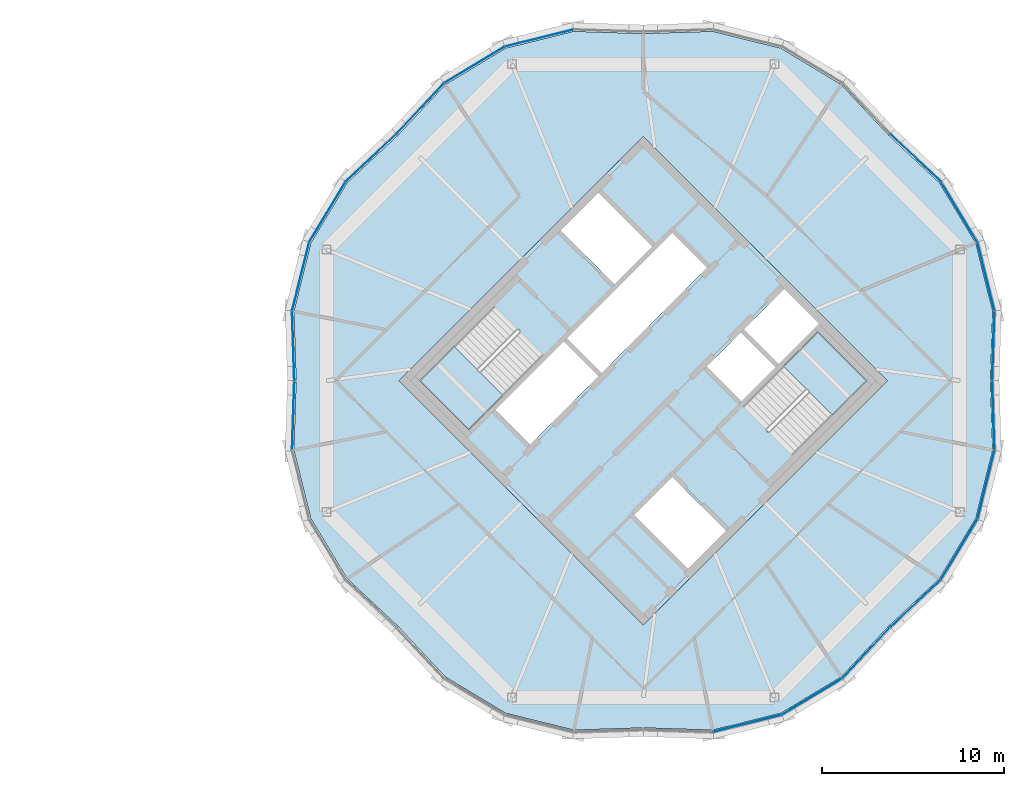
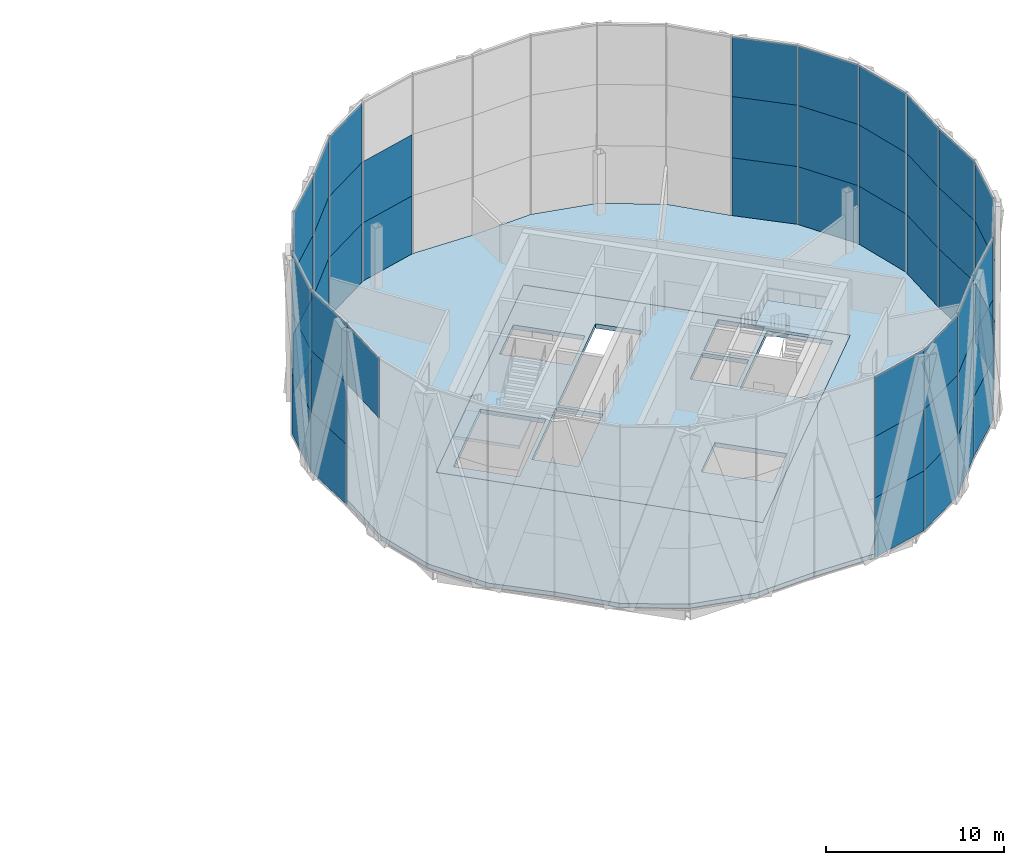
# One storey, part 14 of 23: 54 plates, 4 slabs, 8 elements without a shape of their own.
"""IFC4 building model written with IfcOpenShell, lengths in metres."""

from ifc_helpers import new_model, si_unit, direction, frame, origin, origin_2d, place, context, subcontext, project, spatial, polyline, rectangle, outline, extrude, material, layer, layer_set, type_object, element, aggregate, save


model = new_model("IFC4")

# Units and contexts
model_context = context("Model", 3, precision=1e-05, world=origin(), true_north=direction((0.0, 1.0)))
body_context = subcontext(model_context, "Body", "Model", "MODEL_VIEW")
ifc_project = project(units=[si_unit("LENGTHUNIT", "METRE"), si_unit("AREAUNIT", "SQUARE_METRE"), si_unit("VOLUMEUNIT", "CUBIC_METRE"), si_unit("PLANEANGLEUNIT", "RADIAN"), si_unit("MASSUNIT", "GRAM", prefix="KILO")], contexts=[model_context])

# Site, building, storey
site_placement = place(None, origin())
site = spatial("IfcSite", under=ifc_project, at=site_placement, CompositionType="ELEMENT")
building_placement = place(site_placement, origin())
building = spatial("IfcBuilding", under=site, at=building_placement, Name="Ogive Gate Towers", CompositionType="ELEMENT")
storey_placement = place(building_placement, frame((0.0, 0.0, 256.199951171875)))
storey = spatial("IfcBuildingStorey", under=building, at=storey_placement, Name="L60", CompositionType="ELEMENT", Elevation=256.199951171875)

# Slabs
ifc_material_1 = material(Name="Concrete C40/50", Category="concrete")
ifc_layer_1 = layer(ifc_material_1, 0.300048828125)
ifc_layer_set_1 = layer_set([ifc_layer_1], Name="Core slab C40/50 300 mm")
slab_type_1 = type_object("IfcSlabType", Name="Core slab C40/50 300 mm", PredefinedType="FLOOR", material=ifc_layer_set_1)
slab_1_placement = place(storey_placement, frame((0.0, 0.0, -0.300048828125)))
element("IfcSlab", 1, at=slab_1_placement, inside=storey, type_object=slab_type_1, Name="T2 L60 core slab", PredefinedType="FLOOR", context=body_context, shape_type="SweptSolid", body=[
    extrude(outline(polyline([(36.0, -13.43505859375), (22.56494140625, 0.0), (36.0, 13.43505859375), (49.43505859375, 0.0), (36.0, -13.43505859375)]), holes=[polyline([(29.777587890625, -3.500244140625), (33.525146484375, 0.24755859375), (31.615966796875, 2.15673828125), (27.868408203125, -1.591064453125), (29.777587890625, -3.500244140625)]), polyline([(31.792724609375, 2.33349609375), (33.701904296875, 0.42431640625), (39.500244140625, 6.222412109375), (37.591064453125, 8.131591796875), (31.792724609375, 2.33349609375)]), polyline([(41.3740234375, 2.651611328125), (39.500244140625, 0.77783203125), (41.409423828125, -1.13134765625), (43.283203125, 0.742431640625), (41.3740234375, 2.651611328125)]), polyline([(45.669677734375, 3.12890625), (43.760498046875, 5.0380859375), (41.55078125, 2.828369140625), (43.4599609375, 0.919189453125), (45.669677734375, 3.12890625)]), polyline([(34.408935546875, 5.30322265625), (36.4951171875, 7.389404296875), (33.542724609375, 10.34130859375), (31.456787109375, 8.255615234375), (34.408935546875, 5.30322265625)]), polyline([(35.5048828125, -7.389404296875), (38.457275390625, -10.34130859375), (40.543212890625, -8.255615234375), (37.591064453125, -5.30322265625), (35.5048828125, -7.389404296875)]), polyline([(26.40087890625, -2.70458984375), (30.512939453125, 1.406982421875), (27.80810546875, 4.11181640625), (23.6962890625, 0.0), (26.40087890625, -2.70458984375)]), polyline([(48.3037109375, 0.0), (45.59912109375, 2.70458984375), (41.487060546875, -1.406982421875), (44.19189453125, -4.11181640625), (48.3037109375, 0.0)])]), origin(), (0.0, 0.0, 1.0), 0.300048828125),
])
ifc_material_2 = material(Name="Concrete C35/45", Category="concrete")
ifc_layer_2 = layer(ifc_material_2, 0.300048828125)
ifc_layer_set_2 = layer_set([ifc_layer_2], Name="Floor slab 300")
slab_type_2 = type_object("IfcSlabType", Name="Floor slab 300", PredefinedType="FLOOR", material=ifc_layer_set_2)
slab_2_placement = place(storey_placement, frame((0.0, 0.0, -0.300048828125)))
element("IfcSlab", 2, at=slab_2_placement, inside=storey, type_object=slab_type_2, Name="T2/L60/SSL001", PredefinedType="FLOOR", context=body_context, shape_type="SweptSolid", body=[
    extrude(outline(polyline([(55.223388671875, -3.82373046875), (55.10009765625, 0.0), (55.223388671875, 3.82373046875), (54.292724609375, 7.5771484375), (52.296875, 10.88916015625), (49.505859375, 13.505859375), (46.88916015625, 16.296875), (43.5771484375, 18.292724609375), (39.82373046875, 19.223388671875), (36.0, 19.10009765625), (32.17626953125, 19.223388671875), (28.4228515625, 18.292724609375), (25.11083984375, 16.296875), (22.494140625, 13.505859375), (19.703125, 10.88916015625), (17.707275390625, 7.5771484375), (16.776611328125, 3.82373046875), (16.89990234375, 0.0), (16.776611328125, -3.82373046875), (17.707275390625, -7.5771484375), (19.703125, -10.88916015625), (22.494140625, -13.505859375), (25.11083984375, -16.296875), (28.4228515625, -18.292724609375), (32.17626953125, -19.223388671875), (36.0, -19.10009765625), (39.82373046875, -19.223388671875), (43.5771484375, -18.292724609375), (46.88916015625, -16.296875), (49.505859375, -13.505859375), (52.296875, -10.88916015625), (54.292724609375, -7.5771484375), (55.223388671875, -3.82373046875)]), holes=[polyline([(49.43505859375, 0.0), (36.0, -13.43505859375), (22.56494140625, 0.0), (36.0, 13.43505859375), (49.43505859375, 0.0)])]), origin(), (0.0, 0.0, 1.0), 0.300048828125),
])

# Stair, slab
stair_type = type_object("IfcStairType", Name="Escape stair 1840 wide", PredefinedType="HALF_TURN_STAIR", material=ifc_material_1)
stair_1_placement = place(storey_placement, origin())
stair_1 = element("IfcStair", 3, at=stair_1_placement, inside=storey, type_object=stair_type, Name="L60 Escape stair 1", PredefinedType="HALF_TURN_STAIR")
ifc_layer_3 = layer(ifc_material_1, 0.199951171875)
ifc_layer_set_3 = layer_set([ifc_layer_3], Name="Stair landing 200 mm")
slab_type_3 = type_object("IfcSlabType", Name="Stair landing 200 mm", PredefinedType="LANDING", material=ifc_layer_set_3)
slab_3_placement = place(storey_placement, frame((0.0, 0.0, 1.900146484375)))
slab_3 = element("IfcSlab", 4, at=slab_3_placement, type_object=slab_type_3, Name="ST1 landing 1", PredefinedType="LANDING", context=body_context, shape_type="SweptSolid", body=[
    extrude(outline(polyline([(25.586181640625, 1.8896484375), (23.6962890625, 0.0), (26.401123046875, -2.70458984375), (28.290771484375, -0.81494140625), (25.586181640625, 1.8896484375)])), origin(), (0.0, 0.0, 1.0), 0.199951171875),
])
aggregate(stair_1, [slab_3])

stair_2_placement = place(storey_placement, origin())
stair_2 = element("IfcStair", 5, at=stair_2_placement, inside=storey, type_object=stair_type, Name="L60 Escape stair 2", PredefinedType="HALF_TURN_STAIR")
slab_4_placement = place(storey_placement, frame((0.0, 0.0, 1.900146484375)))
slab_4 = element("IfcSlab", 6, at=slab_4_placement, type_object=slab_type_3, Name="ST2 landing 1", PredefinedType="LANDING", context=body_context, shape_type="SweptSolid", body=[
    extrude(outline(polyline([(46.413818359375, -1.8896484375), (48.3037109375, 0.0), (45.598876953125, 2.70458984375), (43.709228515625, 0.81494140625), (46.413818359375, -1.8896484375)])), origin(), (0.0, 0.0, 1.0), 0.199951171875),
])
aggregate(stair_2, [slab_4])

# Curtain wall, plates
ifc_material_3 = material(Name="Pale metal aluminium", Category="aluminium")
curtain_wall_type = type_object("IfcCurtainWallType", Name="Tower unitised wall, high zone", PredefinedType="NOTDEFINED", material=ifc_material_3)
curtain_wall_1_placement = place(storey_placement, origin())
curtain_wall_1 = element("IfcCurtainWall", 7, at=curtain_wall_1_placement, inside=storey, type_object=curtain_wall_type, Name="CW2 T2 ECW01", PredefinedType="NOTDEFINED")
ifc_material_4 = material(Name="Clear glass", Category="glass")
ifc_layer_4 = layer(ifc_material_4, 0.028076171875)
ifc_layer_set_4 = layer_set([ifc_layer_4], Name="Tower unitised wall, high zone glass panel")
plate_type = type_object("IfcPlateType", Name="Tower unitised wall, high zone glass panel", PredefinedType="CURTAIN_PANEL", material=ifc_layer_set_4)
plate_1_placement = place(storey_placement, frame((55.261962890625, 1.915283203125, -0.203857421875), z_axis=(0.0, 0.0, 1.0), x_axis=(0.032248092615, 0.999479895007, 0.0)))
plate_1 = element("IfcPlate", 8, at=plate_1_placement, type_object=plate_type, Name="CW2 glass panel", PredefinedType="CURTAIN_PANEL", context=body_context, shape_type="SweptSolid", body=[
    extrude(rectangle(XDim=3.778564453125, YDim=0.028076171875, at=origin_2d()), origin(), (0.0, 0.0, 1.0), 4.10400390625),
])
plate_2_placement = place(storey_placement, frame((55.261962890625, 1.915283203125, 3.89990234375), z_axis=(0.0, 0.0, 1.0), x_axis=(0.032248092615, 0.999479895007, 0.0)))
plate_2 = element("IfcPlate", 9, at=plate_2_placement, type_object=plate_type, Name="CW2 glass panel", PredefinedType="CURTAIN_PANEL", context=body_context, shape_type="SweptSolid", body=[
    extrude(rectangle(XDim=3.778564453125, YDim=0.028076171875, at=origin_2d()), origin(), (0.0, 0.0, 1.0), 4.199951171875),
])
plate_3_placement = place(storey_placement, frame((55.261962890625, 1.915283203125, 8.10009765625), z_axis=(0.0, 0.0, 1.0), x_axis=(0.032248092615, 0.999479895007, 0.0)))
plate_3 = element("IfcPlate", 10, at=plate_3_placement, type_object=plate_type, Name="CW2 glass panel", PredefinedType="CURTAIN_PANEL", context=body_context, shape_type="SweptSolid", body=[
    extrude(rectangle(XDim=3.778564453125, YDim=0.028076171875, at=origin_2d()), origin(), (0.0, 0.0, 1.0), 4.10400390625),
])
plate_4_placement = place(storey_placement, frame((54.85498046875, 5.72509765625, -0.203857421875), z_axis=(0.0, 0.0, 1.0), x_axis=(-0.240668514894, 0.970607369609, 0.0)))
plate_4 = element("IfcPlate", 11, at=plate_4_placement, type_object=plate_type, Name="CW2 glass panel", PredefinedType="CURTAIN_PANEL", context=body_context, shape_type="SweptSolid", body=[
    extrude(rectangle(XDim=3.833984375, YDim=0.028076171875, at=origin_2d()), origin(), (0.0, 0.0, 1.0), 4.10400390625),
])
plate_5_placement = place(storey_placement, frame((54.85498046875, 5.72509765625, 3.89990234375), z_axis=(0.0, 0.0, 1.0), x_axis=(-0.240668514894, 0.970607369609, 0.0)))
plate_5 = element("IfcPlate", 12, at=plate_5_placement, type_object=plate_type, Name="CW2 glass panel", PredefinedType="CURTAIN_PANEL", context=body_context, shape_type="SweptSolid", body=[
    extrude(rectangle(XDim=3.833984375, YDim=0.028076171875, at=origin_2d()), origin(), (0.0, 0.0, 1.0), 4.199951171875),
])
plate_6_placement = place(storey_placement, frame((54.85498046875, 5.72509765625, 8.10009765625), z_axis=(0.0, 0.0, 1.0), x_axis=(-0.240668514894, 0.970607369609, 0.0)))
plate_6 = element("IfcPlate", 13, at=plate_6_placement, type_object=plate_type, Name="CW2 glass panel", PredefinedType="CURTAIN_PANEL", context=body_context, shape_type="SweptSolid", body=[
    extrude(rectangle(XDim=3.833984375, YDim=0.028076171875, at=origin_2d()), origin(), (0.0, 0.0, 1.0), 4.10400390625),
])
plate_7_placement = place(storey_placement, frame((53.380615234375, 9.2841796875, -0.203857421875), z_axis=(0.0, 0.0, 1.0), x_axis=(-0.51614471402, 0.85650139182, 0.0)))
plate_7 = element("IfcPlate", 14, at=plate_7_placement, type_object=plate_type, Name="CW2 glass panel", PredefinedType="CURTAIN_PANEL", context=body_context, shape_type="SweptSolid", body=[
    extrude(rectangle(XDim=3.833984375, YDim=0.028076171875, at=origin_2d()), origin(), (0.0, 0.0, 1.0), 4.10400390625),
])
plate_8_placement = place(storey_placement, frame((53.380615234375, 9.2841796875, 3.89990234375), z_axis=(0.0, 0.0, 1.0), x_axis=(-0.51614471402, 0.85650139182, 0.0)))
plate_8 = element("IfcPlate", 15, at=plate_8_placement, type_object=plate_type, Name="CW2 glass panel", PredefinedType="CURTAIN_PANEL", context=body_context, shape_type="SweptSolid", body=[
    extrude(rectangle(XDim=3.833984375, YDim=0.028076171875, at=origin_2d()), origin(), (0.0, 0.0, 1.0), 4.199951171875),
])
plate_9_placement = place(storey_placement, frame((53.380615234375, 9.2841796875, 8.10009765625), z_axis=(0.0, 0.0, 1.0), x_axis=(-0.51614471402, 0.85650139182, 0.0)))
plate_9 = element("IfcPlate", 16, at=plate_9_placement, type_object=plate_type, Name="CW2 glass panel", PredefinedType="CURTAIN_PANEL", context=body_context, shape_type="SweptSolid", body=[
    extrude(rectangle(XDim=3.833984375, YDim=0.028076171875, at=origin_2d()), origin(), (0.0, 0.0, 1.0), 4.10400390625),
])
plate_10_placement = place(storey_placement, frame((50.974609375, 12.265869140625, -0.203857421875), z_axis=(0.0, 0.0, 1.0), x_axis=(-0.729541856388, 0.68393616645, 0.0)))
plate_10 = element("IfcPlate", 17, at=plate_10_placement, type_object=plate_type, Name="CW2 glass panel", PredefinedType="CURTAIN_PANEL", context=body_context, shape_type="SweptSolid", body=[
    extrude(rectangle(XDim=3.7783203125, YDim=0.028076171875, at=origin_2d()), origin(), (0.0, 0.0, 1.0), 4.10400390625),
])
plate_11_placement = place(storey_placement, frame((50.974609375, 12.265869140625, 3.89990234375), z_axis=(0.0, 0.0, 1.0), x_axis=(-0.729541856388, 0.68393616645, 0.0)))
plate_11 = element("IfcPlate", 18, at=plate_11_placement, type_object=plate_type, Name="CW2 glass panel", PredefinedType="CURTAIN_PANEL", context=body_context, shape_type="SweptSolid", body=[
    extrude(rectangle(XDim=3.7783203125, YDim=0.028076171875, at=origin_2d()), origin(), (0.0, 0.0, 1.0), 4.199951171875),
])
plate_12_placement = place(storey_placement, frame((50.974609375, 12.265869140625, 8.10009765625), z_axis=(0.0, 0.0, 1.0), x_axis=(-0.729541856388, 0.68393616645, 0.0)))
plate_12 = element("IfcPlate", 19, at=plate_12_placement, type_object=plate_type, Name="CW2 glass panel", PredefinedType="CURTAIN_PANEL", context=body_context, shape_type="SweptSolid", body=[
    extrude(rectangle(XDim=3.7783203125, YDim=0.028076171875, at=origin_2d()), origin(), (0.0, 0.0, 1.0), 4.10400390625),
])
aggregate(curtain_wall_1, [plate_1, plate_2, plate_3, plate_4, plate_5, plate_6, plate_7, plate_8, plate_9, plate_10, plate_11, plate_12])

curtain_wall_2_placement = place(storey_placement, origin())
curtain_wall_2 = element("IfcCurtainWall", 20, at=curtain_wall_2_placement, inside=storey, type_object=curtain_wall_type, Name="CW2 T2 ECW03", PredefinedType="NOTDEFINED")
plate_13_placement = place(storey_placement, frame((30.27490234375, 18.85498046875, -0.203857421875), z_axis=(0.0, 0.0, 1.0), x_axis=(-0.970607369609, -0.240668514894, 0.0)))
plate_13 = element("IfcPlate", 21, at=plate_13_placement, type_object=plate_type, Name="CW2 glass panel", PredefinedType="CURTAIN_PANEL", context=body_context, shape_type="SweptSolid", body=[
    extrude(rectangle(XDim=3.833984375, YDim=0.028076171875, at=origin_2d()), origin(), (0.0, 0.0, 1.0), 4.10400390625),
])
plate_14_placement = place(storey_placement, frame((30.27490234375, 18.85498046875, 3.89990234375), z_axis=(0.0, 0.0, 1.0), x_axis=(-0.970607369609, -0.240668514894, 0.0)))
plate_14 = element("IfcPlate", 22, at=plate_14_placement, type_object=plate_type, Name="CW2 glass panel", PredefinedType="CURTAIN_PANEL", context=body_context, shape_type="SweptSolid", body=[
    extrude(rectangle(XDim=3.833984375, YDim=0.028076171875, at=origin_2d()), origin(), (0.0, 0.0, 1.0), 4.199951171875),
])
plate_15_placement = place(storey_placement, frame((26.7158203125, 17.380615234375, -0.203857421875), z_axis=(0.0, 0.0, 1.0), x_axis=(-0.85650139182, -0.51614471402, 0.0)))
plate_15 = element("IfcPlate", 23, at=plate_15_placement, type_object=plate_type, Name="CW2 glass panel", PredefinedType="CURTAIN_PANEL", context=body_context, shape_type="SweptSolid", body=[
    extrude(rectangle(XDim=3.833984375, YDim=0.028076171875, at=origin_2d()), origin(), (0.0, 0.0, 1.0), 4.10400390625),
])
plate_16_placement = place(storey_placement, frame((26.7158203125, 17.380615234375, 3.89990234375), z_axis=(0.0, 0.0, 1.0), x_axis=(-0.85650139182, -0.51614471402, 0.0)))
plate_16 = element("IfcPlate", 24, at=plate_16_placement, type_object=plate_type, Name="CW2 glass panel", PredefinedType="CURTAIN_PANEL", context=body_context, shape_type="SweptSolid", body=[
    extrude(rectangle(XDim=3.833984375, YDim=0.028076171875, at=origin_2d()), origin(), (0.0, 0.0, 1.0), 4.199951171875),
])
plate_17_placement = place(storey_placement, frame((26.7158203125, 17.380615234375, 8.10009765625), z_axis=(0.0, 0.0, 1.0), x_axis=(-0.85650139182, -0.51614471402, 0.0)))
plate_17 = element("IfcPlate", 25, at=plate_17_placement, type_object=plate_type, Name="CW2 glass panel", PredefinedType="CURTAIN_PANEL", context=body_context, shape_type="SweptSolid", body=[
    extrude(rectangle(XDim=3.833984375, YDim=0.028076171875, at=origin_2d()), origin(), (0.0, 0.0, 1.0), 4.10400390625),
])
plate_18_placement = place(storey_placement, frame((23.734130859375, 14.974609375, -0.203857421875), z_axis=(0.0, 0.0, 1.0), x_axis=(-0.68393616645, -0.729541856388, 0.0)))
plate_18 = element("IfcPlate", 26, at=plate_18_placement, type_object=plate_type, Name="CW2 glass panel", PredefinedType="CURTAIN_PANEL", context=body_context, shape_type="SweptSolid", body=[
    extrude(rectangle(XDim=3.7783203125, YDim=0.028076171875, at=origin_2d()), origin(), (0.0, 0.0, 1.0), 4.10400390625),
])
plate_19_placement = place(storey_placement, frame((23.734130859375, 14.974609375, 3.89990234375), z_axis=(0.0, 0.0, 1.0), x_axis=(-0.68393616645, -0.729541856388, 0.0)))
plate_19 = element("IfcPlate", 27, at=plate_19_placement, type_object=plate_type, Name="CW2 glass panel", PredefinedType="CURTAIN_PANEL", context=body_context, shape_type="SweptSolid", body=[
    extrude(rectangle(XDim=3.7783203125, YDim=0.028076171875, at=origin_2d()), origin(), (0.0, 0.0, 1.0), 4.199951171875),
])
plate_20_placement = place(storey_placement, frame((23.734130859375, 14.974609375, 8.10009765625), z_axis=(0.0, 0.0, 1.0), x_axis=(-0.68393616645, -0.729541856388, 0.0)))
plate_20 = element("IfcPlate", 28, at=plate_20_placement, type_object=plate_type, Name="CW2 glass panel", PredefinedType="CURTAIN_PANEL", context=body_context, shape_type="SweptSolid", body=[
    extrude(rectangle(XDim=3.7783203125, YDim=0.028076171875, at=origin_2d()), origin(), (0.0, 0.0, 1.0), 4.10400390625),
])
aggregate(curtain_wall_2, [plate_13, plate_14, plate_15, plate_16, plate_17, plate_18, plate_19, plate_20])

curtain_wall_3_placement = place(storey_placement, origin())
curtain_wall_3 = element("IfcCurtainWall", 29, at=curtain_wall_3_placement, inside=storey, type_object=curtain_wall_type, Name="CW2 T2 ECW04", PredefinedType="NOTDEFINED")
plate_21_placement = place(storey_placement, frame((21.025390625, 12.265869140625, -0.203857421875), z_axis=(0.0, 0.0, 1.0), x_axis=(-0.729541856388, -0.68393616645, 0.0)))
plate_21 = element("IfcPlate", 30, at=plate_21_placement, type_object=plate_type, Name="CW2 glass panel", PredefinedType="CURTAIN_PANEL", context=body_context, shape_type="SweptSolid", body=[
    extrude(rectangle(XDim=3.7783203125, YDim=0.028076171875, at=origin_2d()), origin(), (0.0, 0.0, 1.0), 4.10400390625),
])
plate_22_placement = place(storey_placement, frame((21.025390625, 12.265869140625, 3.89990234375), z_axis=(0.0, 0.0, 1.0), x_axis=(-0.729541856388, -0.68393616645, 0.0)))
plate_22 = element("IfcPlate", 31, at=plate_22_placement, type_object=plate_type, Name="CW2 glass panel", PredefinedType="CURTAIN_PANEL", context=body_context, shape_type="SweptSolid", body=[
    extrude(rectangle(XDim=3.7783203125, YDim=0.028076171875, at=origin_2d()), origin(), (0.0, 0.0, 1.0), 4.199951171875),
])
plate_23_placement = place(storey_placement, frame((21.025390625, 12.265869140625, 8.10009765625), z_axis=(0.0, 0.0, 1.0), x_axis=(-0.729541856388, -0.68393616645, 0.0)))
plate_23 = element("IfcPlate", 32, at=plate_23_placement, type_object=plate_type, Name="CW2 glass panel", PredefinedType="CURTAIN_PANEL", context=body_context, shape_type="SweptSolid", body=[
    extrude(rectangle(XDim=3.7783203125, YDim=0.028076171875, at=origin_2d()), origin(), (0.0, 0.0, 1.0), 4.10400390625),
])
plate_24_placement = place(storey_placement, frame((18.619384765625, 9.2841796875, -0.203857421875), z_axis=(0.0, 0.0, 1.0), x_axis=(-0.51614471402, -0.85650139182, 0.0)))
plate_24 = element("IfcPlate", 33, at=plate_24_placement, type_object=plate_type, Name="CW2 glass panel", PredefinedType="CURTAIN_PANEL", context=body_context, shape_type="SweptSolid", body=[
    extrude(rectangle(XDim=3.833984375, YDim=0.028076171875, at=origin_2d()), origin(), (0.0, 0.0, 1.0), 4.10400390625),
])
plate_25_placement = place(storey_placement, frame((18.619384765625, 9.2841796875, 3.89990234375), z_axis=(0.0, 0.0, 1.0), x_axis=(-0.51614471402, -0.85650139182, 0.0)))
plate_25 = element("IfcPlate", 34, at=plate_25_placement, type_object=plate_type, Name="CW2 glass panel", PredefinedType="CURTAIN_PANEL", context=body_context, shape_type="SweptSolid", body=[
    extrude(rectangle(XDim=3.833984375, YDim=0.028076171875, at=origin_2d()), origin(), (0.0, 0.0, 1.0), 4.199951171875),
])
plate_26_placement = place(storey_placement, frame((18.619384765625, 9.2841796875, 8.10009765625), z_axis=(0.0, 0.0, 1.0), x_axis=(-0.51614471402, -0.85650139182, 0.0)))
plate_26 = element("IfcPlate", 35, at=plate_26_placement, type_object=plate_type, Name="CW2 glass panel", PredefinedType="CURTAIN_PANEL", context=body_context, shape_type="SweptSolid", body=[
    extrude(rectangle(XDim=3.833984375, YDim=0.028076171875, at=origin_2d()), origin(), (0.0, 0.0, 1.0), 4.10400390625),
])
plate_27_placement = place(storey_placement, frame((17.14501953125, 5.72509765625, -0.203857421875), z_axis=(0.0, 0.0, 1.0), x_axis=(-0.240668514894, -0.970607369609, 0.0)))
plate_27 = element("IfcPlate", 36, at=plate_27_placement, type_object=plate_type, Name="CW2 glass panel", PredefinedType="CURTAIN_PANEL", context=body_context, shape_type="SweptSolid", body=[
    extrude(rectangle(XDim=3.833984375, YDim=0.028076171875, at=origin_2d()), origin(), (0.0, 0.0, 1.0), 4.10400390625),
])
plate_28_placement = place(storey_placement, frame((17.14501953125, 5.72509765625, 3.89990234375), z_axis=(0.0, 0.0, 1.0), x_axis=(-0.240668514894, -0.970607369609, 0.0)))
plate_28 = element("IfcPlate", 37, at=plate_28_placement, type_object=plate_type, Name="CW2 glass panel", PredefinedType="CURTAIN_PANEL", context=body_context, shape_type="SweptSolid", body=[
    extrude(rectangle(XDim=3.833984375, YDim=0.028076171875, at=origin_2d()), origin(), (0.0, 0.0, 1.0), 4.199951171875),
])
plate_29_placement = place(storey_placement, frame((17.14501953125, 5.72509765625, 8.10009765625), z_axis=(0.0, 0.0, 1.0), x_axis=(-0.240668514894, -0.970607369609, 0.0)))
plate_29 = element("IfcPlate", 38, at=plate_29_placement, type_object=plate_type, Name="CW2 glass panel", PredefinedType="CURTAIN_PANEL", context=body_context, shape_type="SweptSolid", body=[
    extrude(rectangle(XDim=3.833984375, YDim=0.028076171875, at=origin_2d()), origin(), (0.0, 0.0, 1.0), 4.10400390625),
])
plate_30_placement = place(storey_placement, frame((16.738037109375, 1.915283203125, -0.203857421875), z_axis=(0.0, 0.0, 1.0), x_axis=(0.032248092615, -0.999479895007, 0.0)))
plate_30 = element("IfcPlate", 39, at=plate_30_placement, type_object=plate_type, Name="CW2 glass panel", PredefinedType="CURTAIN_PANEL", context=body_context, shape_type="SweptSolid", body=[
    extrude(rectangle(XDim=3.778564453125, YDim=0.028076171875, at=origin_2d()), origin(), (0.0, 0.0, 1.0), 4.10400390625),
])
plate_31_placement = place(storey_placement, frame((16.738037109375, 1.915283203125, 3.89990234375), z_axis=(0.0, 0.0, 1.0), x_axis=(0.032248092615, -0.999479895007, 0.0)))
plate_31 = element("IfcPlate", 40, at=plate_31_placement, type_object=plate_type, Name="CW2 glass panel", PredefinedType="CURTAIN_PANEL", context=body_context, shape_type="SweptSolid", body=[
    extrude(rectangle(XDim=3.778564453125, YDim=0.028076171875, at=origin_2d()), origin(), (0.0, 0.0, 1.0), 4.199951171875),
])
plate_32_placement = place(storey_placement, frame((16.738037109375, 1.915283203125, 8.10009765625), z_axis=(0.0, 0.0, 1.0), x_axis=(0.032248092615, -0.999479895007, 0.0)))
plate_32 = element("IfcPlate", 41, at=plate_32_placement, type_object=plate_type, Name="CW2 glass panel", PredefinedType="CURTAIN_PANEL", context=body_context, shape_type="SweptSolid", body=[
    extrude(rectangle(XDim=3.778564453125, YDim=0.028076171875, at=origin_2d()), origin(), (0.0, 0.0, 1.0), 4.10400390625),
])
aggregate(curtain_wall_3, [plate_21, plate_22, plate_23, plate_24, plate_25, plate_26, plate_27, plate_28, plate_29, plate_30, plate_31, plate_32])

# Curtain wall, plate
curtain_wall_4_placement = place(storey_placement, origin())
curtain_wall_4 = element("IfcCurtainWall", 42, at=curtain_wall_4_placement, inside=storey, type_object=curtain_wall_type, Name="CW2 T2 ECW05", PredefinedType="NOTDEFINED")
plate_33_placement = place(storey_placement, frame((16.738037109375, -1.915283203125, 8.10009765625), z_axis=(0.0, 0.0, 1.0), x_axis=(-0.032248092615, -0.999479895007, 0.0)))
plate_33 = element("IfcPlate", 43, at=plate_33_placement, type_object=plate_type, Name="CW2 glass panel", PredefinedType="CURTAIN_PANEL", context=body_context, shape_type="SweptSolid", body=[
    extrude(rectangle(XDim=3.778564453125, YDim=0.028076171875, at=origin_2d()), origin(), (0.0, 0.0, 1.0), 4.10400390625),
])
aggregate(curtain_wall_4, [plate_33])

# Curtain wall, plates
curtain_wall_5_placement = place(storey_placement, origin())
curtain_wall_5 = element("IfcCurtainWall", 44, at=curtain_wall_5_placement, inside=storey, type_object=curtain_wall_type, Name="CW2 T2 ECW07", PredefinedType="NOTDEFINED")
plate_34_placement = place(storey_placement, frame((41.72509765625, -18.85498046875, -0.203857421875), z_axis=(0.0, 0.0, 1.0), x_axis=(0.970607369609, 0.240668514894, 0.0)))
plate_34 = element("IfcPlate", 45, at=plate_34_placement, type_object=plate_type, Name="CW2 glass panel", PredefinedType="CURTAIN_PANEL", context=body_context, shape_type="SweptSolid", body=[
    extrude(rectangle(XDim=3.833984375, YDim=0.028076171875, at=origin_2d()), origin(), (0.0, 0.0, 1.0), 4.10400390625),
])
plate_35_placement = place(storey_placement, frame((41.72509765625, -18.85498046875, 3.89990234375), z_axis=(0.0, 0.0, 1.0), x_axis=(0.970607369609, 0.240668514894, 0.0)))
plate_35 = element("IfcPlate", 46, at=plate_35_placement, type_object=plate_type, Name="CW2 glass panel", PredefinedType="CURTAIN_PANEL", context=body_context, shape_type="SweptSolid", body=[
    extrude(rectangle(XDim=3.833984375, YDim=0.028076171875, at=origin_2d()), origin(), (0.0, 0.0, 1.0), 4.199951171875),
])
plate_36_placement = place(storey_placement, frame((41.72509765625, -18.85498046875, 8.10009765625), z_axis=(0.0, 0.0, 1.0), x_axis=(0.970607369609, 0.240668514894, 0.0)))
plate_36 = element("IfcPlate", 47, at=plate_36_placement, type_object=plate_type, Name="CW2 glass panel", PredefinedType="CURTAIN_PANEL", context=body_context, shape_type="SweptSolid", body=[
    extrude(rectangle(XDim=3.833984375, YDim=0.028076171875, at=origin_2d()), origin(), (0.0, 0.0, 1.0), 4.10400390625),
])
plate_37_placement = place(storey_placement, frame((45.2841796875, -17.380615234375, -0.203857421875), z_axis=(0.0, 0.0, 1.0), x_axis=(0.85650139182, 0.51614471402, 0.0)))
plate_37 = element("IfcPlate", 48, at=plate_37_placement, type_object=plate_type, Name="CW2 glass panel", PredefinedType="CURTAIN_PANEL", context=body_context, shape_type="SweptSolid", body=[
    extrude(rectangle(XDim=3.833984375, YDim=0.028076171875, at=origin_2d()), origin(), (0.0, 0.0, 1.0), 4.10400390625),
])
plate_38_placement = place(storey_placement, frame((45.2841796875, -17.380615234375, 3.89990234375), z_axis=(0.0, 0.0, 1.0), x_axis=(0.85650139182, 0.51614471402, 0.0)))
plate_38 = element("IfcPlate", 49, at=plate_38_placement, type_object=plate_type, Name="CW2 glass panel", PredefinedType="CURTAIN_PANEL", context=body_context, shape_type="SweptSolid", body=[
    extrude(rectangle(XDim=3.833984375, YDim=0.028076171875, at=origin_2d()), origin(), (0.0, 0.0, 1.0), 4.199951171875),
])
plate_39_placement = place(storey_placement, frame((45.2841796875, -17.380615234375, 8.10009765625), z_axis=(0.0, 0.0, 1.0), x_axis=(0.85650139182, 0.51614471402, 0.0)))
plate_39 = element("IfcPlate", 50, at=plate_39_placement, type_object=plate_type, Name="CW2 glass panel", PredefinedType="CURTAIN_PANEL", context=body_context, shape_type="SweptSolid", body=[
    extrude(rectangle(XDim=3.833984375, YDim=0.028076171875, at=origin_2d()), origin(), (0.0, 0.0, 1.0), 4.10400390625),
])
plate_40_placement = place(storey_placement, frame((48.265869140625, -14.974609375, -0.203857421875), z_axis=(0.0, 0.0, 1.0), x_axis=(0.68393616645, 0.729541856388, 0.0)))
plate_40 = element("IfcPlate", 51, at=plate_40_placement, type_object=plate_type, Name="CW2 glass panel", PredefinedType="CURTAIN_PANEL", context=body_context, shape_type="SweptSolid", body=[
    extrude(rectangle(XDim=3.7783203125, YDim=0.028076171875, at=origin_2d()), origin(), (0.0, 0.0, 1.0), 4.10400390625),
])
plate_41_placement = place(storey_placement, frame((48.265869140625, -14.974609375, 3.89990234375), z_axis=(0.0, 0.0, 1.0), x_axis=(0.68393616645, 0.729541856388, 0.0)))
plate_41 = element("IfcPlate", 52, at=plate_41_placement, type_object=plate_type, Name="CW2 glass panel", PredefinedType="CURTAIN_PANEL", context=body_context, shape_type="SweptSolid", body=[
    extrude(rectangle(XDim=3.7783203125, YDim=0.028076171875, at=origin_2d()), origin(), (0.0, 0.0, 1.0), 4.199951171875),
])
plate_42_placement = place(storey_placement, frame((48.265869140625, -14.974609375, 8.10009765625), z_axis=(0.0, 0.0, 1.0), x_axis=(0.68393616645, 0.729541856388, 0.0)))
plate_42 = element("IfcPlate", 53, at=plate_42_placement, type_object=plate_type, Name="CW2 glass panel", PredefinedType="CURTAIN_PANEL", context=body_context, shape_type="SweptSolid", body=[
    extrude(rectangle(XDim=3.7783203125, YDim=0.028076171875, at=origin_2d()), origin(), (0.0, 0.0, 1.0), 4.10400390625),
])
aggregate(curtain_wall_5, [plate_34, plate_35, plate_36, plate_37, plate_38, plate_39, plate_40, plate_41, plate_42])

curtain_wall_6_placement = place(storey_placement, origin())
curtain_wall_6 = element("IfcCurtainWall", 54, at=curtain_wall_6_placement, inside=storey, type_object=curtain_wall_type, Name="CW2 T2 ECW08", PredefinedType="NOTDEFINED")
plate_43_placement = place(storey_placement, frame((50.974609375, -12.265869140625, -0.203857421875), z_axis=(0.0, 0.0, 1.0), x_axis=(0.729541856388, 0.68393616645, 0.0)))
plate_43 = element("IfcPlate", 55, at=plate_43_placement, type_object=plate_type, Name="CW2 glass panel", PredefinedType="CURTAIN_PANEL", context=body_context, shape_type="SweptSolid", body=[
    extrude(rectangle(XDim=3.7783203125, YDim=0.028076171875, at=origin_2d()), origin(), (0.0, 0.0, 1.0), 4.10400390625),
])
plate_44_placement = place(storey_placement, frame((50.974609375, -12.265869140625, 3.89990234375), z_axis=(0.0, 0.0, 1.0), x_axis=(0.729541856388, 0.68393616645, 0.0)))
plate_44 = element("IfcPlate", 56, at=plate_44_placement, type_object=plate_type, Name="CW2 glass panel", PredefinedType="CURTAIN_PANEL", context=body_context, shape_type="SweptSolid", body=[
    extrude(rectangle(XDim=3.7783203125, YDim=0.028076171875, at=origin_2d()), origin(), (0.0, 0.0, 1.0), 4.199951171875),
])
plate_45_placement = place(storey_placement, frame((50.974609375, -12.265869140625, 8.10009765625), z_axis=(0.0, 0.0, 1.0), x_axis=(0.729541856388, 0.68393616645, 0.0)))
plate_45 = element("IfcPlate", 57, at=plate_45_placement, type_object=plate_type, Name="CW2 glass panel", PredefinedType="CURTAIN_PANEL", context=body_context, shape_type="SweptSolid", body=[
    extrude(rectangle(XDim=3.7783203125, YDim=0.028076171875, at=origin_2d()), origin(), (0.0, 0.0, 1.0), 4.10400390625),
])
plate_46_placement = place(storey_placement, frame((53.380615234375, -9.2841796875, -0.203857421875), z_axis=(0.0, 0.0, 1.0), x_axis=(0.51614471402, 0.85650139182, 0.0)))
plate_46 = element("IfcPlate", 58, at=plate_46_placement, type_object=plate_type, Name="CW2 glass panel", PredefinedType="CURTAIN_PANEL", context=body_context, shape_type="SweptSolid", body=[
    extrude(rectangle(XDim=3.833984375, YDim=0.028076171875, at=origin_2d()), origin(), (0.0, 0.0, 1.0), 4.10400390625),
])
plate_47_placement = place(storey_placement, frame((53.380615234375, -9.2841796875, 3.89990234375), z_axis=(0.0, 0.0, 1.0), x_axis=(0.51614471402, 0.85650139182, 0.0)))
plate_47 = element("IfcPlate", 59, at=plate_47_placement, type_object=plate_type, Name="CW2 glass panel", PredefinedType="CURTAIN_PANEL", context=body_context, shape_type="SweptSolid", body=[
    extrude(rectangle(XDim=3.833984375, YDim=0.028076171875, at=origin_2d()), origin(), (0.0, 0.0, 1.0), 4.199951171875),
])
plate_48_placement = place(storey_placement, frame((53.380615234375, -9.2841796875, 8.10009765625), z_axis=(0.0, 0.0, 1.0), x_axis=(0.51614471402, 0.85650139182, 0.0)))
plate_48 = element("IfcPlate", 60, at=plate_48_placement, type_object=plate_type, Name="CW2 glass panel", PredefinedType="CURTAIN_PANEL", context=body_context, shape_type="SweptSolid", body=[
    extrude(rectangle(XDim=3.833984375, YDim=0.028076171875, at=origin_2d()), origin(), (0.0, 0.0, 1.0), 4.10400390625),
])
plate_49_placement = place(storey_placement, frame((54.85498046875, -5.72509765625, -0.203857421875), z_axis=(0.0, 0.0, 1.0), x_axis=(0.240668514894, 0.970607369609, 0.0)))
plate_49 = element("IfcPlate", 61, at=plate_49_placement, type_object=plate_type, Name="CW2 glass panel", PredefinedType="CURTAIN_PANEL", context=body_context, shape_type="SweptSolid", body=[
    extrude(rectangle(XDim=3.833984375, YDim=0.028076171875, at=origin_2d()), origin(), (0.0, 0.0, 1.0), 4.10400390625),
])
plate_50_placement = place(storey_placement, frame((54.85498046875, -5.72509765625, 3.89990234375), z_axis=(0.0, 0.0, 1.0), x_axis=(0.240668514894, 0.970607369609, 0.0)))
plate_50 = element("IfcPlate", 62, at=plate_50_placement, type_object=plate_type, Name="CW2 glass panel", PredefinedType="CURTAIN_PANEL", context=body_context, shape_type="SweptSolid", body=[
    extrude(rectangle(XDim=3.833984375, YDim=0.028076171875, at=origin_2d()), origin(), (0.0, 0.0, 1.0), 4.199951171875),
])
plate_51_placement = place(storey_placement, frame((54.85498046875, -5.72509765625, 8.10009765625), z_axis=(0.0, 0.0, 1.0), x_axis=(0.240668514894, 0.970607369609, 0.0)))
plate_51 = element("IfcPlate", 63, at=plate_51_placement, type_object=plate_type, Name="CW2 glass panel", PredefinedType="CURTAIN_PANEL", context=body_context, shape_type="SweptSolid", body=[
    extrude(rectangle(XDim=3.833984375, YDim=0.028076171875, at=origin_2d()), origin(), (0.0, 0.0, 1.0), 4.10400390625),
])
plate_52_placement = place(storey_placement, frame((55.261962890625, -1.915283203125, -0.203857421875), z_axis=(0.0, 0.0, 1.0), x_axis=(-0.032248092615, 0.999479895007, 0.0)))
plate_52 = element("IfcPlate", 64, at=plate_52_placement, type_object=plate_type, Name="CW2 glass panel", PredefinedType="CURTAIN_PANEL", context=body_context, shape_type="SweptSolid", body=[
    extrude(rectangle(XDim=3.778564453125, YDim=0.028076171875, at=origin_2d()), origin(), (0.0, 0.0, 1.0), 4.10400390625),
])
plate_53_placement = place(storey_placement, frame((55.261962890625, -1.915283203125, 3.89990234375), z_axis=(0.0, 0.0, 1.0), x_axis=(-0.032248092615, 0.999479895007, 0.0)))
plate_53 = element("IfcPlate", 65, at=plate_53_placement, type_object=plate_type, Name="CW2 glass panel", PredefinedType="CURTAIN_PANEL", context=body_context, shape_type="SweptSolid", body=[
    extrude(rectangle(XDim=3.778564453125, YDim=0.028076171875, at=origin_2d()), origin(), (0.0, 0.0, 1.0), 4.199951171875),
])
plate_54_placement = place(storey_placement, frame((55.261962890625, -1.915283203125, 8.10009765625), z_axis=(0.0, 0.0, 1.0), x_axis=(-0.032248092615, 0.999479895007, 0.0)))
plate_54 = element("IfcPlate", 66, at=plate_54_placement, type_object=plate_type, Name="CW2 glass panel", PredefinedType="CURTAIN_PANEL", context=body_context, shape_type="SweptSolid", body=[
    extrude(rectangle(XDim=3.778564453125, YDim=0.028076171875, at=origin_2d()), origin(), (0.0, 0.0, 1.0), 4.10400390625),
])
aggregate(curtain_wall_6, [plate_43, plate_44, plate_45, plate_46, plate_47, plate_48, plate_49, plate_50, plate_51, plate_52, plate_53, plate_54])

save(model, "model.ifc")
